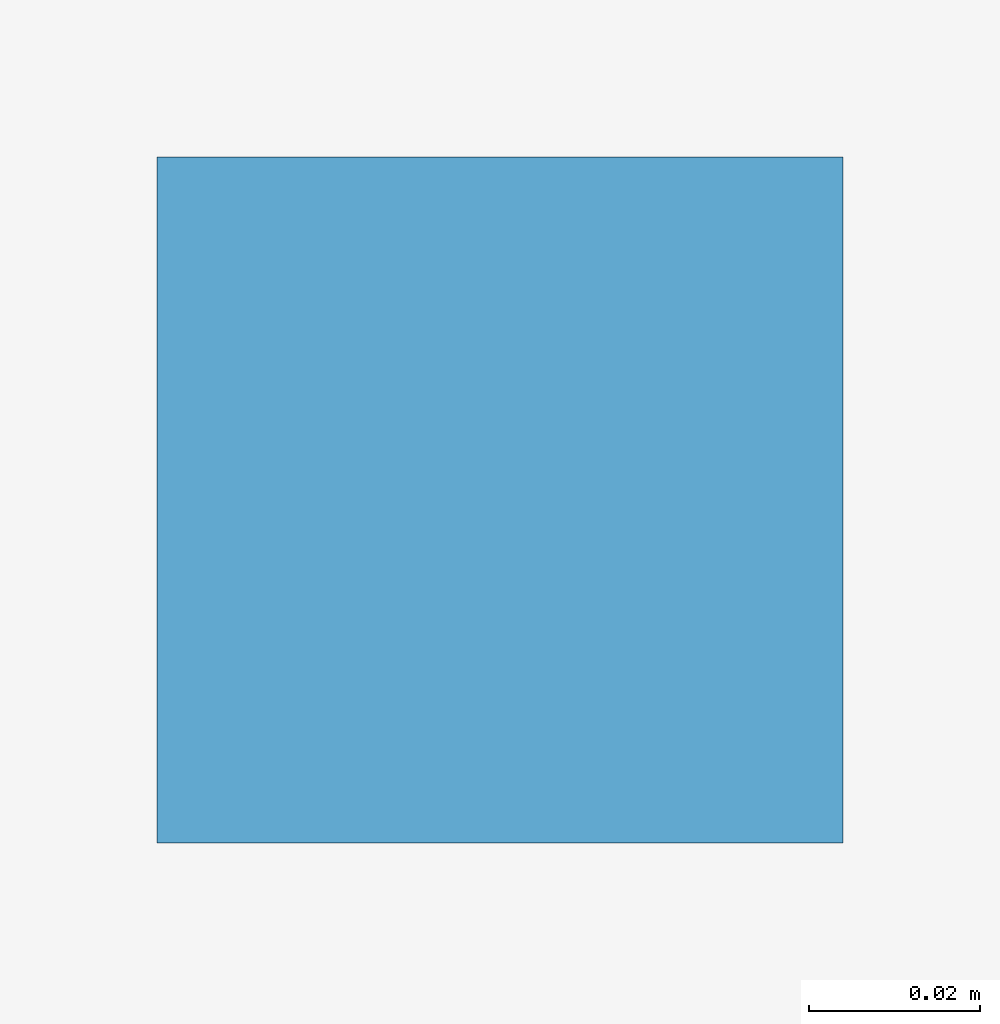
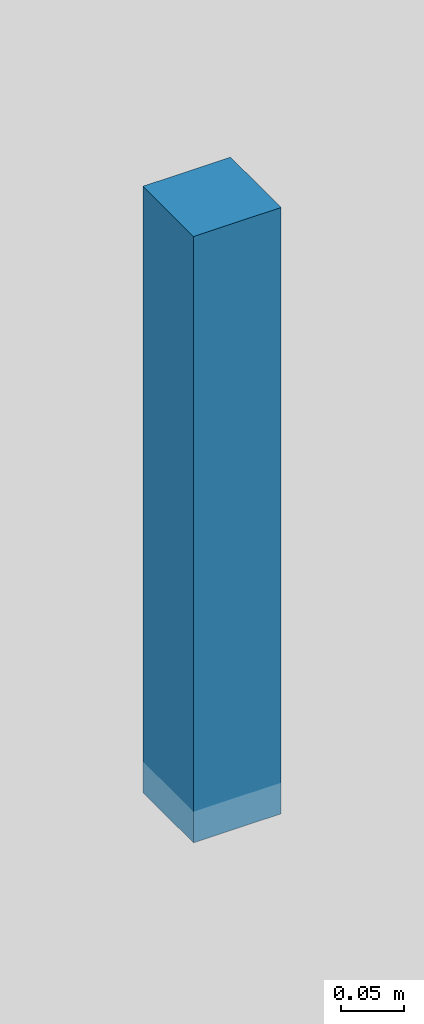
# One storey, part 10 of 14: 1 discrete accessory.
"""IFC4 building model written with IfcOpenShell, lengths in metres."""

from ifc_helpers import new_model, si_unit, direction, frame, origin, origin_2d, place, context, subcontext, project, spatial, rectangle, extrude, source, transform, mapped, material, type_object, element, save


model = new_model("IFC4")

# Units and contexts
model_context = context("Model", 3, precision=1e-05, world=origin(), true_north=direction((0.0, 1.0)))
body_context = subcontext(model_context, "Body", "Model", "MODEL_VIEW")
ifc_project = project(units=[si_unit("LENGTHUNIT", "METRE"), si_unit("AREAUNIT", "SQUARE_METRE"), si_unit("VOLUMEUNIT", "CUBIC_METRE"), si_unit("PLANEANGLEUNIT", "RADIAN"), si_unit("MASSUNIT", "GRAM", prefix="KILO")], contexts=[model_context])

# Site, building, storey
site_placement = place(None, origin())
site = spatial("IfcSite", under=ifc_project, at=site_placement, CompositionType="ELEMENT")
building_placement = place(site_placement, origin())
building = spatial("IfcBuilding", under=site, at=building_placement, Name="Giltprow Tower", CompositionType="ELEMENT")
storey_placement = place(building_placement, frame((0.0, 0.0, 310.800048828125)))
storey = spatial("IfcBuildingStorey", under=building, at=storey_placement, Name="L80", CompositionType="ELEMENT", Elevation=310.800048828125)

# Discrete accessory
ifc_material = material(Name="Structural steel Q355B", Category="steel")
discrete_accessory_type = type_object("IfcDiscreteAccessoryType", Name="ACC-CLG-HANGER", PredefinedType="BRACKET", material=ifc_material)
shared_shape = source(origin(), body_context, "Body", "SweptSolid", [
    extrude(rectangle(XDim=0.080078125, YDim=0.080078125, at=origin_2d()), origin(), (0.0, 0.0, 1.0), 0.5849609375),
])
discrete_accessory_placement = place(storey_placement, frame((35.0, 35.949951171875, 2.619384765625), z_axis=(0.0, 0.0, 1.0), x_axis=(1.0, 0.0, 0.0)))
element("IfcDiscreteAccessory", 1, at=discrete_accessory_placement, inside=storey, type_object=discrete_accessory_type, Name="L80 Residence Gallery Ceiling Suspension Hanger", PredefinedType="BRACKET", context=body_context, shape_type="MappedRepresentation", body=[
    mapped(shared_shape, transform((0.0, 0.0, 0.0), x_axis=(1.0, 0.0, 0.0), y_axis=(0.0, 1.0, 0.0), z_axis=(0.0, 0.0, 1.0), scale=1.0)),
])

save(model, "model.ifc")
